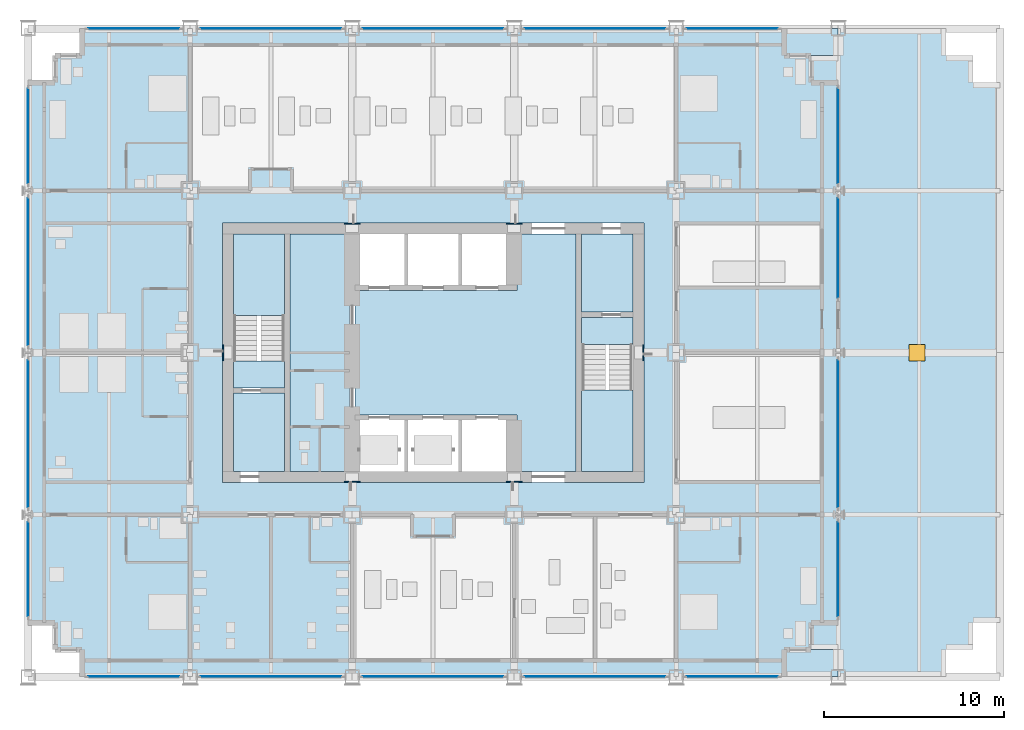
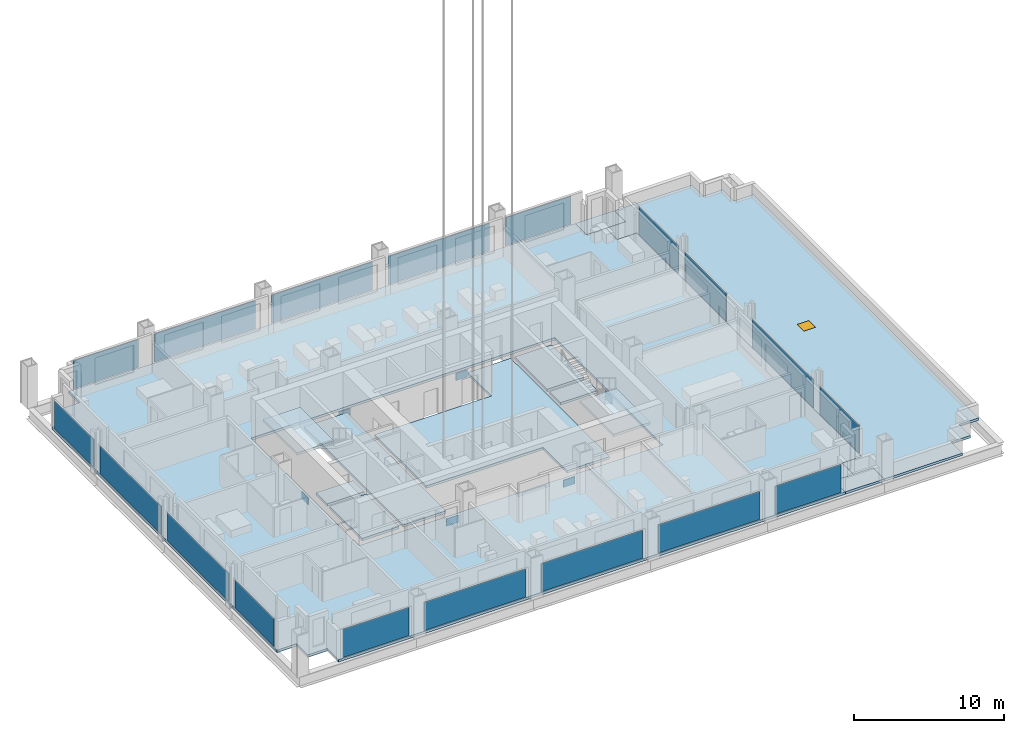
# One storey, part 9 of 19: 24 plates, 12 slabs, 1 window, 1 opening, 20 elements without a shape of their own.
"""IFC4 building model written with IfcOpenShell, lengths in metres."""

from ifc_helpers import new_model, si_unit, direction, frame, origin, origin_2d, place, context, subcontext, project, spatial, polyline, rectangle, outline, extrude, material, layer, layer_set, type_object, element, fill, aggregate, save


model = new_model("IFC4")

# Units and contexts
model_context = context("Model", 3, precision=1e-05, world=origin(), true_north=direction((0.0, 1.0)))
body_context = subcontext(model_context, "Body", "Model", "MODEL_VIEW")
ifc_project = project(units=[si_unit("LENGTHUNIT", "METRE"), si_unit("AREAUNIT", "SQUARE_METRE"), si_unit("VOLUMEUNIT", "CUBIC_METRE"), si_unit("PLANEANGLEUNIT", "RADIAN"), si_unit("MASSUNIT", "GRAM", prefix="KILO")], contexts=[model_context])

# Site, building, storey
site_placement = place(None, origin())
site = spatial("IfcSite", under=ifc_project, at=site_placement, CompositionType="ELEMENT")
building_placement = place(site_placement, origin())
building = spatial("IfcBuilding", under=site, at=building_placement, Name="Loomwork Tower", CompositionType="ELEMENT")
storey_placement = place(building_placement, frame((0.0, 0.0, 94.199951171875)))
storey = spatial("IfcBuildingStorey", under=building, at=storey_placement, Name="L24", CompositionType="ELEMENT", Elevation=94.199951171875)

# Slabs
ifc_material_1 = material(Name="Concrete 5000 psi (34 MPa) on composite metal deck", Category="concrete")
ifc_layer_1 = layer(ifc_material_1, 0.199951171875)
ifc_layer_set_1 = layer_set([ifc_layer_1], Name="Floor slab 200")
slab_type_1 = type_object("IfcSlabType", Name="Floor slab 200", PredefinedType="FLOOR", material=ifc_layer_set_1)
slab_1_placement = place(storey_placement, frame((0.0, 0.0, -0.199951171875)))
element("IfcSlab", 1, at=slab_1_placement, inside=storey, type_object=slab_type_1, Name="Floor slab L24", PredefinedType="FLOOR", context=body_context, shape_type="SweptSolid", body=[
    extrude(outline(polyline([(3.0, 1.5), (1.5, 1.5), (1.5, 3.0), (0.0, 3.0), (0.0, 33.0), (1.5, 33.0), (1.5, 34.5), (3.0, 34.5), (3.0, 36.0), (42.0, 36.0), (42.0, 34.5), (43.5, 34.5), (43.5, 33.0), (45.0, 33.0), (45.0, 3.0), (43.5, 3.0), (43.5, 1.5), (42.0, 1.5), (42.0, 0.0), (3.0, 0.0), (3.0, 1.5)]), holes=[polyline([(10.800048828125, 11.39990234375), (10.800048828125, 11.39990234375), (10.800048828125, 10.800048828125), (34.199951171875, 10.800048828125), (34.199951171875, 11.39990234375), (34.199951171875, 11.39990234375), (34.199951171875, 24.60009765625), (34.199951171875, 25.199951171875), (10.800048828125, 25.199951171875), (10.800048828125, 24.60009765625), (10.800048828125, 11.39990234375)])]), origin(), (0.0, 0.0, 1.0), 0.199951171875),
])
slab_2_placement = place(storey_placement, frame((0.0, 0.0, -0.199951171875)))
element("IfcSlab", 2, at=slab_2_placement, inside=storey, type_object=slab_type_1, Name="Floor slab L24", PredefinedType="FLOOR", context=body_context, shape_type="SweptSolid", body=[
    extrude(outline(polyline([(30.449951171875, 24.60009765625), (30.449951171875, 11.39990234375), (27.14990234375, 11.39990234375), (27.14990234375, 14.25), (27.14990234375, 14.550048828125), (18.14990234375, 14.550048828125), (18.14990234375, 21.449951171875), (27.14990234375, 21.449951171875), (27.14990234375, 21.75), (27.14990234375, 24.60009765625), (30.449951171875, 24.60009765625)])), origin(), (0.0, 0.0, 1.0), 0.199951171875),
])
slab_3_placement = place(storey_placement, frame((0.0, 0.0, -0.199951171875)))
element("IfcSlab", 3, at=slab_3_placement, inside=storey, type_object=slab_type_1, Name="Floor slab L24", PredefinedType="FLOOR", context=body_context, shape_type="SweptSolid", body=[
    extrude(outline(polyline([(14.550048828125, 11.39990234375), (14.550048828125, 24.60009765625), (17.85009765625, 24.60009765625), (17.85009765625, 11.39990234375), (14.550048828125, 11.39990234375)])), origin(), (0.0, 0.0, 1.0), 0.199951171875),
])
slab_4_placement = place(storey_placement, frame((0.0, 0.0, -0.199951171875)))
element("IfcSlab", 4, at=slab_4_placement, inside=storey, type_object=slab_type_1, Name="Floor slab L24", PredefinedType="FLOOR", context=body_context, shape_type="SweptSolid", body=[
    extrude(outline(polyline([(33.60009765625, 20.25), (30.75, 20.25), (30.75, 24.60009765625), (33.60009765625, 24.60009765625), (33.60009765625, 20.25)])), origin(), (0.0, 0.0, 1.0), 0.199951171875),
])
slab_5_placement = place(storey_placement, frame((0.0, 0.0, -0.199951171875)))
element("IfcSlab", 5, at=slab_5_placement, inside=storey, type_object=slab_type_1, Name="Floor slab L24", PredefinedType="FLOOR", context=body_context, shape_type="SweptSolid", body=[
    extrude(outline(polyline([(14.25, 15.75), (14.25, 11.39990234375), (11.39990234375, 11.39990234375), (11.39990234375, 15.75), (14.25, 15.75)])), origin(), (0.0, 0.0, 1.0), 0.199951171875),
])

# Curtain wall, plate
ifc_material_2 = material(Name="Aluminium curtain wall frame", Category="aluminium")
curtain_wall_type = type_object("IfcCurtainWallType", Name="Outer skin glazing hotel", PredefinedType="NOTDEFINED", material=ifc_material_2)
curtain_wall_1_placement = place(storey_placement, origin())
curtain_wall_1 = element("IfcCurtainWall", 6, at=curtain_wall_1_placement, inside=storey, type_object=curtain_wall_type, Name="Outer skin glazing hotel cw/S-0", PredefinedType="NOTDEFINED")
ifc_material_3 = material(Name="Clear laminated glass", Category="glass")
ifc_layer_2 = layer(ifc_material_3, 0.02392578125)
ifc_layer_set_2 = layer_set([ifc_layer_2], Name="Outer skin glazing hotel panel")
plate_type_1 = type_object("IfcPlateType", Name="Outer skin glazing hotel panel", PredefinedType="CURTAIN_PANEL", material=ifc_layer_set_2)
plate_1_placement = place(storey_placement, frame((5.875, 0.0, 0.06494140625), z_axis=(0.0, 0.0, 1.0), x_axis=(1.0, 0.0, 0.0)))
plate_1 = element("IfcPlate", 7, at=plate_1_placement, type_object=plate_type_1, Name="CW1 panel 1.1", PredefinedType="CURTAIN_PANEL", context=body_context, shape_type="SweptSolid", body=[
    extrude(rectangle(XDim=5.050048828125, YDim=0.02392578125, at=origin_2d()), origin(), (0.0, 0.0, 1.0), 2.290283203125),
])
aggregate(curtain_wall_1, [plate_1])

curtain_wall_2_placement = place(storey_placement, origin())
curtain_wall_2 = element("IfcCurtainWall", 8, at=curtain_wall_2_placement, inside=storey, type_object=curtain_wall_type, Name="Outer skin glazing hotel cw/S-9", PredefinedType="NOTDEFINED")
plate_2_placement = place(storey_placement, frame((13.5, 0.0, 0.06494140625), z_axis=(0.0, 0.0, 1.0), x_axis=(1.0, 0.0, 0.0)))
plate_2 = element("IfcPlate", 9, at=plate_2_placement, type_object=plate_type_1, Name="CW1 panel 1.1", PredefinedType="CURTAIN_PANEL", context=body_context, shape_type="SweptSolid", body=[
    extrude(rectangle(XDim=7.800048828125, YDim=0.02392578125, at=origin_2d()), origin(), (0.0, 0.0, 1.0), 2.290283203125),
])
aggregate(curtain_wall_2, [plate_2])

curtain_wall_3_placement = place(storey_placement, origin())
curtain_wall_3 = element("IfcCurtainWall", 10, at=curtain_wall_3_placement, inside=storey, type_object=curtain_wall_type, Name="Outer skin glazing hotel cw/S-18", PredefinedType="NOTDEFINED")
plate_3_placement = place(storey_placement, frame((22.5, 0.0, 0.06494140625), z_axis=(0.0, 0.0, 1.0), x_axis=(1.0, 0.0, 0.0)))
plate_3 = element("IfcPlate", 11, at=plate_3_placement, type_object=plate_type_1, Name="CW1 panel 1.1", PredefinedType="CURTAIN_PANEL", context=body_context, shape_type="SweptSolid", body=[
    extrude(rectangle(XDim=7.800048828125, YDim=0.02392578125, at=origin_2d()), origin(), (0.0, 0.0, 1.0), 2.290283203125),
])
aggregate(curtain_wall_3, [plate_3])

curtain_wall_4_placement = place(storey_placement, origin())
curtain_wall_4 = element("IfcCurtainWall", 12, at=curtain_wall_4_placement, inside=storey, type_object=curtain_wall_type, Name="Outer skin glazing hotel cw/S-27", PredefinedType="NOTDEFINED")
plate_4_placement = place(storey_placement, frame((31.5, 0.0, 0.06494140625), z_axis=(0.0, 0.0, 1.0), x_axis=(1.0, 0.0, 0.0)))
plate_4 = element("IfcPlate", 13, at=plate_4_placement, type_object=plate_type_1, Name="CW1 panel 1.1", PredefinedType="CURTAIN_PANEL", context=body_context, shape_type="SweptSolid", body=[
    extrude(rectangle(XDim=7.800048828125, YDim=0.02392578125, at=origin_2d()), origin(), (0.0, 0.0, 1.0), 2.290283203125),
])
aggregate(curtain_wall_4, [plate_4])

curtain_wall_5_placement = place(storey_placement, origin())
curtain_wall_5 = element("IfcCurtainWall", 14, at=curtain_wall_5_placement, inside=storey, type_object=curtain_wall_type, Name="Outer skin glazing hotel cw/S-36", PredefinedType="NOTDEFINED")
plate_5_placement = place(storey_placement, frame((39.125, 0.0, 0.06494140625), z_axis=(0.0, 0.0, 1.0), x_axis=(1.0, 0.0, 0.0)))
plate_5 = element("IfcPlate", 15, at=plate_5_placement, type_object=plate_type_1, Name="CW1 panel 1.1", PredefinedType="CURTAIN_PANEL", context=body_context, shape_type="SweptSolid", body=[
    extrude(rectangle(XDim=5.050048828125, YDim=0.02392578125, at=origin_2d()), origin(), (0.0, 0.0, 1.0), 2.290283203125),
])
aggregate(curtain_wall_5, [plate_5])

curtain_wall_6_placement = place(storey_placement, origin())
curtain_wall_6 = element("IfcCurtainWall", 16, at=curtain_wall_6_placement, inside=storey, type_object=curtain_wall_type, Name="Outer skin glazing hotel cw/N-0", PredefinedType="NOTDEFINED")
plate_6_placement = place(storey_placement, frame((5.875, 36.0, 0.06494140625), z_axis=(0.0, 0.0, 1.0), x_axis=(-1.0, 0.0, 0.0)))
plate_6 = element("IfcPlate", 17, at=plate_6_placement, type_object=plate_type_1, Name="CW1 panel 1.1", PredefinedType="CURTAIN_PANEL", context=body_context, shape_type="SweptSolid", body=[
    extrude(rectangle(XDim=5.050048828125, YDim=0.02392578125, at=origin_2d()), origin(), (0.0, 0.0, 1.0), 2.290283203125),
])
aggregate(curtain_wall_6, [plate_6])

curtain_wall_7_placement = place(storey_placement, origin())
curtain_wall_7 = element("IfcCurtainWall", 18, at=curtain_wall_7_placement, inside=storey, type_object=curtain_wall_type, Name="Outer skin glazing hotel cw/N-9", PredefinedType="NOTDEFINED")
plate_7_placement = place(storey_placement, frame((13.5, 36.0, 0.06494140625), z_axis=(0.0, 0.0, 1.0), x_axis=(-1.0, 0.0, 0.0)))
plate_7 = element("IfcPlate", 19, at=plate_7_placement, type_object=plate_type_1, Name="CW1 panel 1.1", PredefinedType="CURTAIN_PANEL", context=body_context, shape_type="SweptSolid", body=[
    extrude(rectangle(XDim=7.800048828125, YDim=0.02392578125, at=origin_2d()), origin(), (0.0, 0.0, 1.0), 2.290283203125),
])
aggregate(curtain_wall_7, [plate_7])

curtain_wall_8_placement = place(storey_placement, origin())
curtain_wall_8 = element("IfcCurtainWall", 20, at=curtain_wall_8_placement, inside=storey, type_object=curtain_wall_type, Name="Outer skin glazing hotel cw/N-18", PredefinedType="NOTDEFINED")
plate_8_placement = place(storey_placement, frame((22.5, 36.0, 0.06494140625), z_axis=(0.0, 0.0, 1.0), x_axis=(-1.0, 0.0, 0.0)))
plate_8 = element("IfcPlate", 21, at=plate_8_placement, type_object=plate_type_1, Name="CW1 panel 1.1", PredefinedType="CURTAIN_PANEL", context=body_context, shape_type="SweptSolid", body=[
    extrude(rectangle(XDim=7.800048828125, YDim=0.02392578125, at=origin_2d()), origin(), (0.0, 0.0, 1.0), 2.290283203125),
])
aggregate(curtain_wall_8, [plate_8])

curtain_wall_9_placement = place(storey_placement, origin())
curtain_wall_9 = element("IfcCurtainWall", 22, at=curtain_wall_9_placement, inside=storey, type_object=curtain_wall_type, Name="Outer skin glazing hotel cw/N-27", PredefinedType="NOTDEFINED")
plate_9_placement = place(storey_placement, frame((31.5, 36.0, 0.06494140625), z_axis=(0.0, 0.0, 1.0), x_axis=(-1.0, 0.0, 0.0)))
plate_9 = element("IfcPlate", 23, at=plate_9_placement, type_object=plate_type_1, Name="CW1 panel 1.1", PredefinedType="CURTAIN_PANEL", context=body_context, shape_type="SweptSolid", body=[
    extrude(rectangle(XDim=7.800048828125, YDim=0.02392578125, at=origin_2d()), origin(), (0.0, 0.0, 1.0), 2.290283203125),
])
aggregate(curtain_wall_9, [plate_9])

curtain_wall_10_placement = place(storey_placement, origin())
curtain_wall_10 = element("IfcCurtainWall", 24, at=curtain_wall_10_placement, inside=storey, type_object=curtain_wall_type, Name="Outer skin glazing hotel cw/N-36", PredefinedType="NOTDEFINED")
plate_10_placement = place(storey_placement, frame((39.125, 36.0, 0.06494140625), z_axis=(0.0, 0.0, 1.0), x_axis=(-1.0, 0.0, 0.0)))
plate_10 = element("IfcPlate", 25, at=plate_10_placement, type_object=plate_type_1, Name="CW1 panel 1.1", PredefinedType="CURTAIN_PANEL", context=body_context, shape_type="SweptSolid", body=[
    extrude(rectangle(XDim=5.050048828125, YDim=0.02392578125, at=origin_2d()), origin(), (0.0, 0.0, 1.0), 2.290283203125),
])
aggregate(curtain_wall_10, [plate_10])

curtain_wall_11_placement = place(storey_placement, origin())
curtain_wall_11 = element("IfcCurtainWall", 26, at=curtain_wall_11_placement, inside=storey, type_object=curtain_wall_type, Name="Outer skin glazing hotel cw/W-0", PredefinedType="NOTDEFINED")
plate_11_placement = place(storey_placement, frame((0.0, 5.962646484375, 0.06494140625), z_axis=(0.0, 0.0, 1.0), x_axis=(0.0, -1.0, 0.0)))
plate_11 = element("IfcPlate", 27, at=plate_11_placement, type_object=plate_type_1, Name="CW1 panel 1.1", PredefinedType="CURTAIN_PANEL", context=body_context, shape_type="SweptSolid", body=[
    extrude(rectangle(XDim=5.22509765625, YDim=0.02392578125, at=origin_2d()), origin(), (0.0, 0.0, 1.0), 2.290283203125),
])
aggregate(curtain_wall_11, [plate_11])

curtain_wall_12_placement = place(storey_placement, origin())
curtain_wall_12 = element("IfcCurtainWall", 28, at=curtain_wall_12_placement, inside=storey, type_object=curtain_wall_type, Name="Outer skin glazing hotel cw/W-9", PredefinedType="NOTDEFINED")
plate_12_placement = place(storey_placement, frame((0.0, 13.5, 0.06494140625), z_axis=(0.0, 0.0, 1.0), x_axis=(0.0, -1.0, 0.0)))
plate_12 = element("IfcPlate", 29, at=plate_12_placement, type_object=plate_type_1, Name="CW1 panel 1.1", PredefinedType="CURTAIN_PANEL", context=body_context, shape_type="SweptSolid", body=[
    extrude(rectangle(XDim=8.150390625, YDim=0.02392578125, at=origin_2d()), origin(), (0.0, 0.0, 1.0), 2.290283203125),
])
aggregate(curtain_wall_12, [plate_12])

curtain_wall_13_placement = place(storey_placement, origin())
curtain_wall_13 = element("IfcCurtainWall", 30, at=curtain_wall_13_placement, inside=storey, type_object=curtain_wall_type, Name="Outer skin glazing hotel cw/W-18", PredefinedType="NOTDEFINED")
plate_13_placement = place(storey_placement, frame((0.0, 22.5, 0.06494140625), z_axis=(0.0, 0.0, 1.0), x_axis=(0.0, -1.0, 0.0)))
plate_13 = element("IfcPlate", 31, at=plate_13_placement, type_object=plate_type_1, Name="CW1 panel 1.1", PredefinedType="CURTAIN_PANEL", context=body_context, shape_type="SweptSolid", body=[
    extrude(rectangle(XDim=8.150390625, YDim=0.02392578125, at=origin_2d()), origin(), (0.0, 0.0, 1.0), 2.290283203125),
])
aggregate(curtain_wall_13, [plate_13])

curtain_wall_14_placement = place(storey_placement, origin())
curtain_wall_14 = element("IfcCurtainWall", 32, at=curtain_wall_14_placement, inside=storey, type_object=curtain_wall_type, Name="Outer skin glazing hotel cw/W-27", PredefinedType="NOTDEFINED")
plate_14_placement = place(storey_placement, frame((0.0, 30.037353515625, 0.06494140625), z_axis=(0.0, 0.0, 1.0), x_axis=(0.0, -1.0, 0.0)))
plate_14 = element("IfcPlate", 33, at=plate_14_placement, type_object=plate_type_1, Name="CW1 panel 1.1", PredefinedType="CURTAIN_PANEL", context=body_context, shape_type="SweptSolid", body=[
    extrude(rectangle(XDim=5.22509765625, YDim=0.02392578125, at=origin_2d()), origin(), (0.0, 0.0, 1.0), 2.290283203125),
])
aggregate(curtain_wall_14, [plate_14])

curtain_wall_15_placement = place(storey_placement, origin())
curtain_wall_15 = element("IfcCurtainWall", 34, at=curtain_wall_15_placement, inside=storey, type_object=curtain_wall_type, Name="Outer skin glazing hotel cw/E-0", PredefinedType="NOTDEFINED")
plate_15_placement = place(storey_placement, frame((45.0, 5.962646484375, 0.06494140625), z_axis=(0.0, 0.0, 1.0), x_axis=(0.0, 1.0, 0.0)))
plate_15 = element("IfcPlate", 35, at=plate_15_placement, type_object=plate_type_1, Name="CW1 panel 1.1", PredefinedType="CURTAIN_PANEL", context=body_context, shape_type="SweptSolid", body=[
    extrude(rectangle(XDim=5.22509765625, YDim=0.02392578125, at=origin_2d()), origin(), (0.0, 0.0, 1.0), 2.290283203125),
])
aggregate(curtain_wall_15, [plate_15])

curtain_wall_16_placement = place(storey_placement, origin())
curtain_wall_16 = element("IfcCurtainWall", 36, at=curtain_wall_16_placement, inside=storey, type_object=curtain_wall_type, Name="Outer skin glazing hotel cw/E-9", PredefinedType="NOTDEFINED")
plate_16_placement = place(storey_placement, frame((45.0, 13.5, 0.06494140625), z_axis=(0.0, 0.0, 1.0), x_axis=(0.0, 1.0, 0.0)))
plate_16 = element("IfcPlate", 37, at=plate_16_placement, type_object=plate_type_1, Name="CW1 panel 1.1", PredefinedType="CURTAIN_PANEL", context=body_context, shape_type="SweptSolid", body=[
    extrude(rectangle(XDim=8.150390625, YDim=0.02392578125, at=origin_2d()), origin(), (0.0, 0.0, 1.0), 2.290283203125),
])
aggregate(curtain_wall_16, [plate_16])

curtain_wall_17_placement = place(storey_placement, origin())
curtain_wall_17 = element("IfcCurtainWall", 38, at=curtain_wall_17_placement, inside=storey, type_object=curtain_wall_type, Name="Outer skin glazing hotel cw/E-18", PredefinedType="NOTDEFINED")
plate_17_placement = place(storey_placement, frame((45.0, 23.8125, 0.06494140625), z_axis=(0.0, 0.0, 1.0), x_axis=(0.0, 1.0, 0.0)))
plate_17 = element("IfcPlate", 39, at=plate_17_placement, type_object=plate_type_1, Name="CW1 panel 1.1", PredefinedType="CURTAIN_PANEL", context=body_context, shape_type="SweptSolid", body=[
    extrude(rectangle(XDim=5.525146484375, YDim=0.02392578125, at=origin_2d()), origin(), (0.0, 0.0, 1.0), 2.290283203125),
])
aggregate(curtain_wall_17, [plate_17])

curtain_wall_18_placement = place(storey_placement, origin())
curtain_wall_18 = element("IfcCurtainWall", 40, at=curtain_wall_18_placement, inside=storey, type_object=curtain_wall_type, Name="Outer skin glazing hotel cw/E-27", PredefinedType="NOTDEFINED")
plate_18_placement = place(storey_placement, frame((45.0, 30.037353515625, 0.06494140625), z_axis=(0.0, 0.0, 1.0), x_axis=(0.0, 1.0, 0.0)))
plate_18 = element("IfcPlate", 41, at=plate_18_placement, type_object=plate_type_1, Name="CW1 panel 1.1", PredefinedType="CURTAIN_PANEL", context=body_context, shape_type="SweptSolid", body=[
    extrude(rectangle(XDim=5.22509765625, YDim=0.02392578125, at=origin_2d()), origin(), (0.0, 0.0, 1.0), 2.290283203125),
])
aggregate(curtain_wall_18, [plate_18])

# Slabs
ifc_material_4 = material(Name="Concrete 5000 psi (34 MPa) on composite metal deck", Category="concrete")
ifc_layer_3 = layer(ifc_material_4, 0.199951171875)
ifc_layer_set_3 = layer_set([ifc_layer_3], Name="Roof slab 200")
slab_type_2 = type_object("IfcSlabType", Name="Roof slab 200", PredefinedType="ROOF", material=ifc_layer_set_3)
slab_6_placement = place(storey_placement, frame((0.0, 0.0, -0.199951171875)))
element("IfcSlab", 42, at=slab_6_placement, inside=storey, type_object=slab_type_2, Name="Setback roof (maintenance access only) L23 part 1", PredefinedType="ROOF", context=body_context, shape_type="SweptSolid", body=[
    extrude(outline(polyline([(45.0, 0.0), (42.0, 0.0), (42.0, 1.5), (45.0, 1.5), (45.0, 0.0)])), origin(), (0.0, 0.0, 1.0), 0.199951171875),
])
slab_7_placement = place(storey_placement, frame((0.0, 0.0, -0.199951171875)))
element("IfcSlab", 43, at=slab_7_placement, inside=storey, type_object=slab_type_2, Name="Setback roof (maintenance access only) L23 part 2", PredefinedType="ROOF", context=body_context, shape_type="SweptSolid", body=[
    extrude(outline(polyline([(45.0, 34.5), (42.0, 34.5), (42.0, 36.0), (45.0, 36.0), (45.0, 34.5)])), origin(), (0.0, 0.0, 1.0), 0.199951171875),
])

# Slab, opening, window
slab_8_placement = place(storey_placement, frame((0.0, 0.0, -0.199951171875)))
slab_8 = element("IfcSlab", 44, at=slab_8_placement, inside=storey, type_object=slab_type_2, Name="Setback roof (maintenance access only) L23 part 3", PredefinedType="ROOF", context=body_context, shape_type="SweptSolid", body=[
    extrude(outline(polyline([(43.5, 1.5), (43.5, 3.0), (45.0, 3.0), (45.0, 33.0), (43.5, 33.0), (43.5, 34.5), (45.0, 34.5), (45.0, 36.0), (51.0, 36.0), (51.0, 34.5), (52.5, 34.5), (52.5, 33.0), (54.0, 33.0), (54.0, 3.0), (52.5, 3.0), (52.5, 1.5), (51.0, 1.5), (51.0, 0.0), (45.0, 0.0), (45.0, 1.5), (43.5, 1.5)])), origin(), (0.0, 0.0, 1.0), 0.199951171875),
])
opening_placement = place(slab_8_placement, frame((49.385009765625, 18.0, 0.0)))
opening = element("IfcOpeningElement", 45, at=opening_placement, cuts=slab_8, Name="Opening RH1", PredefinedType="OPENING", context=body_context, shape_type="SweptSolid", body=[
    extrude(rectangle(XDim=0.89990234375, YDim=0.89990234375, at=origin_2d()), origin(), (0.0, 0.0, 1.0), 0.199951171875),
])
ifc_material_5 = material(Name="Aluminium hatch with insulated lid", Category="aluminium")
window_type = type_object("IfcWindowType", Name="Roof access hatch 900", PartitioningType="SINGLE_PANEL", PredefinedType="SKYLIGHT", material=ifc_material_5)
window_placement = place(opening_placement, frame((0.0, 0.0, 0.14990234375)))
window = element("IfcWindow", 46, at=window_placement, inside=storey, type_object=window_type, Name="Roof access hatch L24", OverallHeight=0.89990234375, OverallWidth=0.89990234375, PartitioningType="SINGLE_PANEL", PredefinedType="SKYLIGHT", context=body_context, shape_type="SweptSolid", body=[
    extrude(rectangle(XDim=0.89990234375, YDim=0.89990234375, at=origin_2d()), origin(), (0.0, 0.0, 1.0), 0.050048828125),
])
fill(opening, window)

# Stair, slabs
ifc_material_6 = material(Name="Concrete 5000 psi (34 MPa) precast stair", Category="concrete")
stair_type_1 = type_object("IfcStairType", Name="Stair ST-A 20 risers 2850 wide", PredefinedType="HALF_TURN_STAIR", material=ifc_material_6)
stair_1_placement = place(storey_placement, origin())
stair_1 = element("IfcStair", 47, at=stair_1_placement, inside=storey, type_object=stair_type_1, Name="Stair A L24", PredefinedType="HALF_TURN_STAIR")
ifc_material_7 = material(Name="Concrete 5000 psi (34 MPa)", Category="concrete")
ifc_layer_4 = layer(ifc_material_7, 0.199951171875)
ifc_layer_set_4 = layer_set([ifc_layer_4], Name="Stair landing 200")
slab_type_3 = type_object("IfcSlabType", Name="Stair landing 200", PredefinedType="LANDING", material=ifc_layer_set_4)
slab_9_placement = place(storey_placement, frame((0.0, 0.0, -0.199951171875)))
slab_9 = element("IfcSlab", 48, at=slab_9_placement, type_object=slab_type_3, Name="ST-A landing 1", PredefinedType="LANDING", context=body_context, shape_type="SweptSolid", body=[
    extrude(outline(polyline([(11.39990234375, 16.050048828125), (14.25, 16.050048828125), (14.25, 17.550048828125), (11.39990234375, 17.550048828125), (11.39990234375, 16.050048828125)])), origin(), (0.0, 0.0, 1.0), 0.199951171875),
])
slab_10_placement = place(storey_placement, frame((0.0, 0.0, 1.5)))
slab_10 = element("IfcSlab", 49, at=slab_10_placement, type_object=slab_type_3, Name="ST-A landing 2", PredefinedType="LANDING", context=body_context, shape_type="SweptSolid", body=[
    extrude(outline(polyline([(11.39990234375, 20.070068359375), (14.25, 20.070068359375), (14.25, 24.60009765625), (11.39990234375, 24.60009765625), (11.39990234375, 20.070068359375)])), origin(), (0.0, 0.0, 1.0), 0.199951171875),
])
aggregate(stair_1, [slab_9, slab_10])

ifc_material_8 = material(Name="Concrete 5000 psi (34 MPa) precast stair", Category="concrete")
stair_type_2 = type_object("IfcStairType", Name="Stair ST-B 20 risers 2850 wide", PredefinedType="HALF_TURN_STAIR", material=ifc_material_8)
stair_2_placement = place(storey_placement, origin())
stair_2 = element("IfcStair", 50, at=stair_2_placement, inside=storey, type_object=stair_type_2, Name="Stair B L24", PredefinedType="HALF_TURN_STAIR")
slab_11_placement = place(storey_placement, frame((0.0, 0.0, -0.199951171875)))
slab_11 = element("IfcSlab", 51, at=slab_11_placement, type_object=slab_type_3, Name="ST-B landing 1", PredefinedType="LANDING", context=body_context, shape_type="SweptSolid", body=[
    extrude(outline(polyline([(30.75, 18.449951171875), (33.60009765625, 18.449951171875), (33.60009765625, 19.949951171875), (30.75, 19.949951171875), (30.75, 18.449951171875)])), origin(), (0.0, 0.0, 1.0), 0.199951171875),
])
slab_12_placement = place(storey_placement, frame((0.0, 0.0, 1.5)))
slab_12 = element("IfcSlab", 52, at=slab_12_placement, type_object=slab_type_3, Name="ST-B landing 2", PredefinedType="LANDING", context=body_context, shape_type="SweptSolid", body=[
    extrude(outline(polyline([(30.75, 11.39990234375), (33.60009765625, 11.39990234375), (33.60009765625, 15.929931640625), (30.75, 15.929931640625), (30.75, 11.39990234375)])), origin(), (0.0, 0.0, 1.0), 0.199951171875),
])
aggregate(stair_2, [slab_11, slab_12])

# Plates
ifc_material_9 = material(Name="Steel ASTM A572 Grade 50 plate", Category="steel")
ifc_layer_5 = layer(ifc_material_9, 0.06005859375)
ifc_layer_set_5 = layer_set([ifc_layer_5], Name="OUTRIGGER CAST-IN CORE PLATE 60")
plate_type_2 = type_object("IfcPlateType", Name="OUTRIGGER CAST-IN CORE PLATE 60", PredefinedType="SHEET", material=ifc_layer_set_5)
for number, where, z_axis, x_axis, name in (
    (53, (27.0, 10.830078125, -0.794921875), (0.0, 0.0, 1.0), (1.0, 0.0, 0.0), "Outrigger cast-in core plate 27,9-27,11.1 L24"),
    (54, (34.169921875, 18.0, -0.794921875), (0.0, 0.0, 1.0), (0.0, 1.0, 0.0), "Outrigger cast-in core plate 36,18-33.9,18 L24"),
    (55, (27.0, 25.169921875, -0.794921875), (0.0, 0.0, 1.0), (1.0, 0.0, 0.0), "Outrigger cast-in core plate 27,27-27,24.9 L24"),
    (56, (18.0, 10.830078125, -0.794921875), (0.0, 0.0, 1.0), (1.0, 0.0, 0.0), "Outrigger cast-in core plate 18,9-18,11.1 L24"),
    (57, (18.0, 25.169921875, -0.794921875), (0.0, 0.0, 1.0), (1.0, 0.0, 0.0), "Outrigger cast-in core plate 18,27-18,24.9 L24"),
    (58, (10.830078125, 18.0, -0.794921875), (0.0, 0.0, 1.0), (0.0, 1.0, 0.0), "Outrigger cast-in core plate 9,18-11.1,18 L24"),
):
    element("IfcPlate", number, at=place(storey_placement, frame(where, z_axis=z_axis, x_axis=x_axis)), inside=storey, type_object=plate_type_2, Name=name, PredefinedType="SHEET", context=body_context, shape_type="SweptSolid", body=[
        extrude(rectangle(XDim=0.89990234375, YDim=0.06005859375, at=origin_2d()), origin(), (0.0, 0.0, 1.0), 0.590087890625),
    ])

save(model, "model.ifc")
